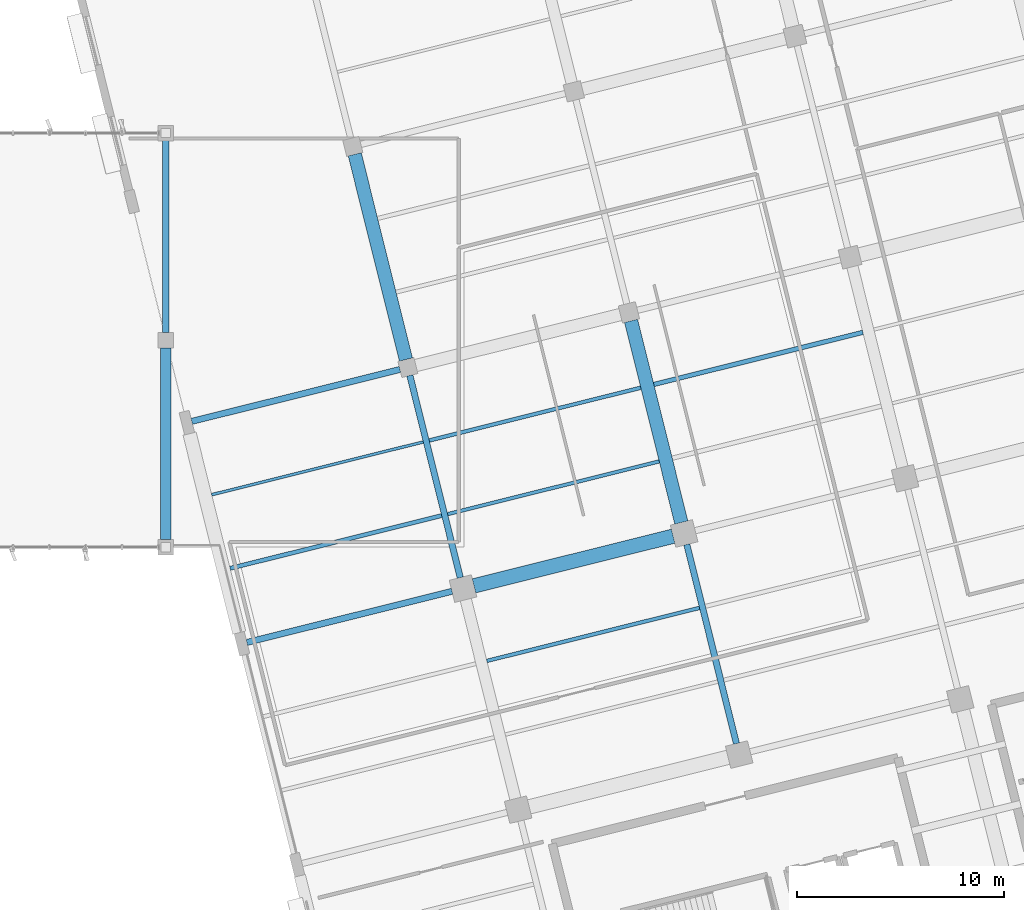
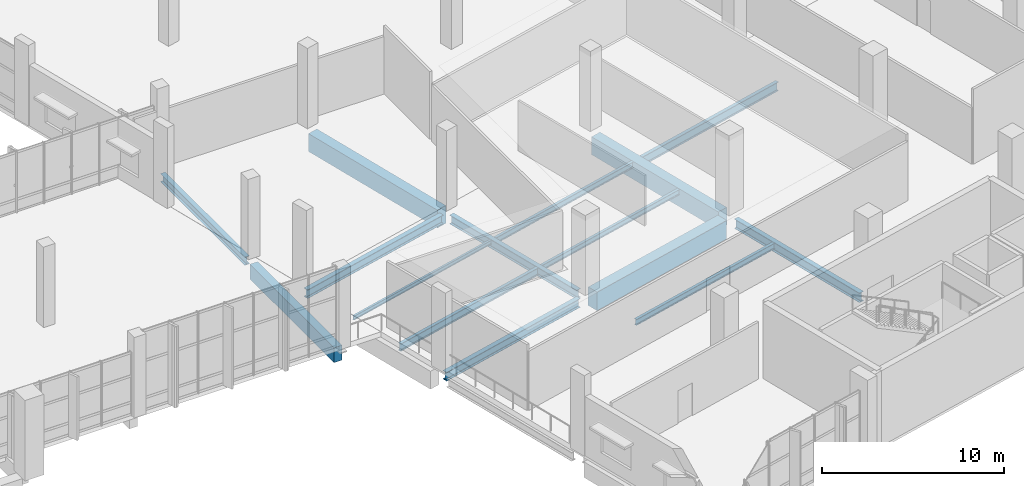
# One storey, part 73 of 176: 15 beams.
"""IFC4 building model written with IfcOpenShell, lengths in metres."""

import ifcopenshell
import ifcopenshell.guid

model = None  # the IFC model being written
_history = None  # IfcOwnerHistory: only IFC2X3 demands one
_inside = {}  # id of a spatial element -> (the spatial element, [elements in it])
_under = {}  # id of a project, library or spatial element -> (it, [spatial elements below it])
_declared = {}  # id of a project -> (the project, [libraries it declares])
_typed = {}  # id of a type object -> (the type object, [elements of that type])
_made_of = {}  # id of a material, layer set ... -> (it, [elements and type objects made of it])


def new_model(schema):
    """Start an empty IFC model of exactly this schema.

    Asked for "IFC4X3", IfcOpenShell would pick the latest addendum, in which some entities
    have other attributes; the version numbers below select the first issue.
    IFC2X3 requires an IfcOwnerHistory on every rooted entity: one is made here for all.
    """
    global model, _history
    if schema == "IFC4X3":
        model = ifcopenshell.file(schema_version=(4, 3, 0, 0))
    else:
        model = ifcopenshell.file(schema=schema)
    _inside.clear()
    _under.clear()
    _declared.clear()
    _typed.clear()
    _made_of.clear()
    _history = None
    if model.schema == "IFC2X3":
        org = make("IfcOrganization", Name="unknown")
        user = make(
            "IfcPersonAndOrganization",
            ThePerson=make("IfcPerson", FamilyName="unknown"),
            TheOrganization=org,
        )
        app = make(
            "IfcApplication",
            ApplicationDeveloper=org,
            Version="unknown",
            ApplicationFullName="unknown",
            ApplicationIdentifier="unknown",
        )
        _history = make(
            "IfcOwnerHistory",
            OwningUser=user,
            OwningApplication=app,
            ChangeAction="ADDED",
            CreationDate=0,
        )
    return model


def make(cls, **values):
    """One entity of the class cls with the attributes given. An attribute that is None is left unset."""
    return model.create_entity(
        cls, **{name: value for name, value in values.items() if value is not None}
    )


def rooted(cls, **values):
    """An entity with a GlobalId (a new one), such as an element, a storey or a relation."""
    return make(cls, GlobalId=ifcopenshell.guid.new(), OwnerHistory=_history, **values)


def si_unit(unit_type, name, prefix=None):
    """IfcSIUnit, for example si_unit("LENGTHUNIT", "METRE", prefix="MILLI")."""
    return make("IfcSIUnit", UnitType=unit_type, Prefix=prefix, Name=name)


def assignment(units):
    """IfcUnitAssignment: the units of a project."""
    return None if units is None else make("IfcUnitAssignment", Units=units)


def point(xyz):
    """IfcCartesianPoint."""
    return None if xyz is None else make("IfcCartesianPoint", Coordinates=xyz)


def direction(xyz):
    """IfcDirection."""
    return None if xyz is None else make("IfcDirection", DirectionRatios=xyz)


def frame(location, z_axis=None, x_axis=None):
    """IfcAxis2Placement3D, a coordinate frame: its origin and axes. An axis left out is left unset."""
    return make(
        "IfcAxis2Placement3D",
        Location=point(location),
        Axis=direction(z_axis),
        RefDirection=direction(x_axis),
    )


def frame_2d(location, x_axis=None):
    """IfcAxis2Placement2D, a coordinate frame in the plane: its origin and x axis."""
    return make(
        "IfcAxis2Placement2D", Location=point(location), RefDirection=direction(x_axis)
    )


def origin():
    """The frame at (0, 0, 0) with its axes left unset."""
    return frame((0.0, 0.0, 0.0))


def origin_2d():
    """The frame at (0, 0) in the plane with its x axis left unset."""
    return frame_2d((0.0, 0.0))


def place(relative_to, where):
    """IfcLocalPlacement: puts the frame where relative to a parent placement (None: the world)."""
    return make(
        "IfcLocalPlacement", PlacementRelTo=relative_to, RelativePlacement=where
    )


def context(
    kind, dimensions, precision=None, world=None, true_north=None, identifier=None
):
    """IfcGeometricRepresentationContext, for example the 3D "Model" context."""
    return make(
        "IfcGeometricRepresentationContext",
        ContextIdentifier=identifier,
        ContextType=kind,
        CoordinateSpaceDimension=dimensions,
        Precision=precision,
        WorldCoordinateSystem=world,
        TrueNorth=true_north,
    )


def subcontext(parent, identifier, kind, view, scale=None):
    """IfcGeometricRepresentationSubContext, for example "Body" below "Model"."""
    return make(
        "IfcGeometricRepresentationSubContext",
        ContextIdentifier=identifier,
        ContextType=kind,
        ParentContext=parent,
        TargetScale=scale,
        TargetView=view,
    )


def project(units=None, contexts=None):
    """IfcProject with its units and contexts."""
    return rooted(
        "IfcProject",
        Name="project",
        RepresentationContexts=contexts,
        UnitsInContext=assignment(units),
    )


def spatial(cls, under=None, at=None, **own):
    """A site, building, storey or space (cls), placed at a placement, below another one or the project."""
    s = rooted(cls, ObjectPlacement=at, **own)
    if under is not None:
        _under.setdefault(under.id(), (under, []))[1].append(s)
    return s


def profile(cls, at=None, kind="AREA", **sizes):
    """A parametric profile (cls). Its sizes go by their IFC names, for example OverallWidth=200.0."""
    return make(cls, ProfileType=kind, Position=at, **sizes)


def rectangle(**sizes):
    """IfcRectangleProfileDef."""
    return profile("IfcRectangleProfileDef", **sizes)


def i_section(**sizes):
    """IfcIShapeProfileDef."""
    return profile("IfcIShapeProfileDef", **sizes)


def extrude(swept, where, along, depth):
    """IfcExtrudedAreaSolid: the profile swept, set in the frame where, extruded along a direction by depth."""
    return make(
        "IfcExtrudedAreaSolid",
        SweptArea=swept,
        Position=where,
        ExtrudedDirection=direction(along),
        Depth=depth,
    )


def shape(context_of_items, identifier, shape_type, items):
    """IfcShapeRepresentation: the items that make up one representation, for example the "Body"."""
    return make(
        "IfcShapeRepresentation",
        ContextOfItems=context_of_items,
        RepresentationIdentifier=identifier,
        RepresentationType=shape_type,
        Items=items,
    )


def material(Name=None, Category=None):
    """IfcMaterial."""
    return make("IfcMaterial", Name=Name, Category=Category)


def material_profile(
    of_material, cross_section, Name=None, Category=None, Priority=None
):
    """IfcMaterialProfile: a cross section and its material."""
    return make(
        "IfcMaterialProfile",
        Name=Name,
        Material=of_material,
        Profile=cross_section,
        Priority=Priority,
        Category=Category,
    )


def profile_set(profiles, Name=None, composite=None):
    """IfcMaterialProfileSet."""
    return make(
        "IfcMaterialProfileSet",
        Name=Name,
        MaterialProfiles=profiles,
        CompositeProfile=composite,
    )


def made_of(thing, what):
    """Note that an element or type object is made of a material, layer set ...; save() writes the relation."""
    if what is not None:
        _made_of.setdefault(what.id(), (what, []))[1].append(thing)
    return thing


def type_object(cls, material=None, **own):
    """A type object (cls), such as IfcWallType, which elements share."""
    return made_of(rooted(cls, **own), material)


def element(
    cls,
    number,
    at=None,
    inside=None,
    cuts=None,
    type_object=None,
    material=None,
    context=None,
    identifier="Body",
    shape_type=None,
    held_by="IfcProductDefinitionShape",
    body=None,
    shapes=None,
    **own,
):
    """One element of the class cls, such as IfcWall. Its Tag is "e" and its number.

    at: its placement. inside: the storey or other place that contains it. cuts: it is an
    opening in that element (IfcRelVoidsElement). A single representation is given by context,
    identifier, shape_type and body (its items); several are given by shapes. held_by: the class
    of the entity that holds the representations. save() writes the other relations.
    """
    e = rooted(cls, Tag="e%d" % number, ObjectPlacement=at, **own)
    if body is not None:
        shapes = [shape(context, identifier, shape_type, body)]
    if shapes is not None:
        e.Representation = make(held_by, Representations=shapes)
    if inside is not None:
        _inside.setdefault(inside.id(), (inside, []))[1].append(e)
    if cuts is not None:
        rooted(
            "IfcRelVoidsElement", RelatingBuildingElement=cuts, RelatedOpeningElement=e
        )
    if type_object is not None:
        _typed.setdefault(type_object.id(), (type_object, []))[1].append(e)
    return made_of(e, material)


def aggregate(whole, parts):
    """IfcRelAggregates: a whole, such as a stair, and the parts it consists of."""
    return rooted("IfcRelAggregates", RelatingObject=whole, RelatedObjects=parts)


def save(model, path):
    """Write the relations noted so far, then the file.

    IfcRelAggregates (storeys below a building ...), IfcRelContainedInSpatialStructure (elements
    in a storey), IfcRelDefinesByType, IfcRelAssociatesMaterial and IfcRelDeclares: one each for
    every whole, place, type object, material and project.
    """
    for whole, parts in _under.values():
        aggregate(whole, parts)
    for where, things in _inside.values():
        rooted(
            "IfcRelContainedInSpatialStructure",
            RelatedElements=things,
            RelatingStructure=where,
        )
    for kind, things in _typed.values():
        rooted("IfcRelDefinesByType", RelatedObjects=things, RelatingType=kind)
    for what, things in _made_of.values():
        rooted("IfcRelAssociatesMaterial", RelatedObjects=things, RelatingMaterial=what)
    for by, libraries in _declared.values():
        rooted("IfcRelDeclares", RelatingContext=by, RelatedDefinitions=libraries)
    model.write(path)


model = new_model("IFC4")

# Units and contexts
model_context = context("Model", 3, precision=1e-05, world=origin(), true_north=direction((0.0, 1.0)))
body_context = subcontext(model_context, "Body", "Model", "MODEL_VIEW")
ifc_project = project(units=[si_unit("LENGTHUNIT", "METRE"), si_unit("AREAUNIT", "SQUARE_METRE"), si_unit("VOLUMEUNIT", "CUBIC_METRE"), si_unit("PLANEANGLEUNIT", "RADIAN"), si_unit("MASSUNIT", "GRAM", prefix="KILO")], contexts=[model_context])

# Site, building, storey
site_placement = place(None, origin())
site = spatial("IfcSite", under=ifc_project, at=site_placement, CompositionType="ELEMENT")
building_placement = place(site_placement, origin())
building = spatial("IfcBuilding", under=site, at=building_placement, Name="Khorjan Park Terminus", CompositionType="ELEMENT")
storey_placement = place(building_placement, frame((0.0, 0.0, 6.0)))
storey = spatial("IfcBuildingStorey", under=building, at=storey_placement, Name="L01", CompositionType="ELEMENT", Elevation=6.0)

# Beams
ifc_material_1 = material(Name="Steel S355", Category="steel")
ifc_material_profile_1 = material_profile(ifc_material_1, i_section(OverallWidth=0.3, OverallDepth=0.59, WebThickness=0.013, FlangeThickness=0.025, FilletRadius=0.027, at=origin_2d()), Name="HEA 600")
ifc_profile_set_1 = profile_set([ifc_material_profile_1], Name="Steel S355")
beam_type_1 = type_object("IfcBeamType", Name="BM-HEA600", PredefinedType="BEAM", material=ifc_profile_set_1)
beam_1_placement = place(storey_placement, frame((160.9154, 23.4058, -0.655), z_axis=(0.970296707014, 0.241917962039, 0.0), x_axis=(-0.241917962039, 0.970296707014, 0.0)))
element("IfcBeam", 1, at=beam_1_placement, inside=storey, type_object=beam_type_1, Name="Primary skew-grid floor girder SB-A60 (L01)", PredefinedType="BEAM", context=body_context, shape_type="SweptSolid", body=[
    extrude(i_section(OverallWidth=0.3, OverallDepth=0.59, WebThickness=0.013, FlangeThickness=0.025, FilletRadius=0.027, at=origin_2d()), origin(), (0.0, 0.0, 1.0), 10.2101),
])
beam_2_placement = place(storey_placement, frame((158.2543, 34.079, -0.655), z_axis=(0.970296176779, 0.241920088722, 0.0), x_axis=(-0.241920088722, 0.970296176779, 0.0)))
element("IfcBeam", 2, at=beam_2_placement, inside=storey, type_object=beam_type_1, Name="Primary skew-grid floor girder SB-A60 (L01)", PredefinedType="BEAM", context=body_context, shape_type="SweptSolid", body=[
    extrude(i_section(OverallWidth=0.3, OverallDepth=0.59, WebThickness=0.013, FlangeThickness=0.025, FilletRadius=0.027, at=origin_2d()), origin(), (0.0, 0.0, 1.0), 10.36),
])
ifc_material_profile_2 = material_profile(ifc_material_1, i_section(OverallWidth=0.3, OverallDepth=0.64, WebThickness=0.0135, FlangeThickness=0.026, FilletRadius=0.027, at=origin_2d()), Name="HEA 650")
ifc_profile_set_2 = profile_set([ifc_material_profile_2], Name="Steel S355")
beam_type_2 = type_object("IfcBeamType", Name="BM-HEA650", PredefinedType="BEAM", material=ifc_profile_set_2)
beam_3_placement = place(storey_placement, frame((184.5535, 18.5243, -0.68), z_axis=(-0.241915884168, 0.970297225074, 0.0), x_axis=(-0.970297225074, -0.241915884168, 0.0)))
element("IfcBeam", 3, at=beam_3_placement, inside=storey, type_object=beam_type_2, Name="Primary skew-grid floor girder SB-A65 (L01)", PredefinedType="BEAM", context=body_context, shape_type="SweptSolid", body=[
    extrude(i_section(OverallWidth=0.3, OverallDepth=0.64, WebThickness=0.0135, FlangeThickness=0.026, FilletRadius=0.027, at=origin_2d()), origin(), (0.0, 0.0, 1.0), 9.9101),
])
ifc_material_profile_3 = material_profile(ifc_material_1, i_section(OverallWidth=0.3, OverallDepth=0.55, WebThickness=0.015, FlangeThickness=0.029, FilletRadius=0.027, at=origin_2d()), Name="HEB 550")
ifc_profile_set_3 = profile_set([ifc_material_profile_3], Name="Steel S355")
beam_type_3 = type_object("IfcBeamType", Name="BM-HEB550", PredefinedType="BEAM", material=ifc_profile_set_3)
beam_4_placement = place(storey_placement, frame((157.0, 38.37, -0.625), z_axis=(0.0, 1.0, 0.0), x_axis=(-1.0, 0.0, 0.0)))
element("IfcBeam", 4, at=beam_4_placement, inside=storey, type_object=beam_type_3, Name="Primary floor girder SB-B55 (L01)", PredefinedType="BEAM", context=body_context, shape_type="SweptSolid", body=[
    extrude(i_section(OverallWidth=0.3, OverallDepth=0.55, WebThickness=0.015, FlangeThickness=0.029, FilletRadius=0.027, at=origin_2d()), origin(), (0.0, 0.0, 1.0), 9.26),
])
ifc_material_profile_4 = material_profile(ifc_material_1, i_section(OverallWidth=0.3, OverallDepth=0.6, WebThickness=0.0155, FlangeThickness=0.03, FilletRadius=0.027, at=origin_2d()), Name="HEB 600")
ifc_profile_set_4 = profile_set([ifc_material_profile_4], Name="Steel S355")
beam_type_4 = type_object("IfcBeamType", Name="BM-HEB600", PredefinedType="BEAM", material=ifc_profile_set_4)
beam_5_placement = place(storey_placement, frame((171.2191, 26.5365, -0.66), z_axis=(-0.241920438591, 0.970296089548, 0.0), x_axis=(-0.970296089548, -0.241920438591, 0.0)))
element("IfcBeam", 5, at=beam_5_placement, inside=storey, type_object=beam_type_4, Name="Primary skew-grid floor girder SB-B60 (L01)", PredefinedType="BEAM", context=body_context, shape_type="SweptSolid", body=[
    extrude(i_section(OverallWidth=0.3, OverallDepth=0.6, WebThickness=0.0155, FlangeThickness=0.03, FilletRadius=0.027, at=origin_2d()), origin(), (0.0, 0.0, 1.0), 10.0599),
])
ifc_material_2 = material(Name="Concrete C40/50", Category="concrete")
ifc_material_profile_5 = material_profile(ifc_material_2, rectangle(XDim=0.5, YDim=1.0, at=origin_2d()), Name="RC 500x1000")
ifc_profile_set_5 = profile_set([ifc_material_profile_5], Name="Concrete C40/50")
beam_type_5 = type_object("IfcBeamType", Name="BM-RC500x1000", PredefinedType="BEAM", material=ifc_profile_set_5)
beam_6_placement = place(storey_placement, frame((157.0, 28.37, -0.83), z_axis=(0.0, 1.0, 0.0), x_axis=(-1.0, 0.0, 0.0)))
element("IfcBeam", 6, at=beam_6_placement, inside=storey, type_object=beam_type_5, Name="Primary floor girder GB-10B (L01)", PredefinedType="BEAM", context=body_context, shape_type="SweptSolid", body=[
    extrude(rectangle(XDim=0.5, YDim=1.0, at=origin_2d()), origin(), (0.0, 0.0, 1.0), 9.26),
])
ifc_material_profile_6 = material_profile(ifc_material_2, rectangle(XDim=0.65, YDim=1.2, at=origin_2d()), Name="RC 650x1200")
ifc_profile_set_6 = profile_set([ifc_material_profile_6], Name="Concrete C40/50")
beam_type_6 = type_object("IfcBeamType", Name="BM-RC650x1200", PredefinedType="BEAM", material=ifc_profile_set_6)
beam_7_placement = place(storey_placement, frame((168.5943, 37.0642, -0.95), z_axis=(-0.241929482178, 0.970293834698, 0.0), x_axis=(-0.970293834698, -0.241929482178, 0.0)))
element("IfcBeam", 7, at=beam_7_placement, inside=storey, type_object=beam_type_6, Name="Primary skew-grid floor girder GB-12 (L01)", PredefinedType="BEAM", context=body_context, shape_type="SweptSolid", body=[
    extrude(rectangle(XDim=0.65, YDim=1.2, at=origin_2d()), origin(), (0.0, 0.0, 1.0), 10.21),
])
beam_8_placement = place(storey_placement, frame((181.8924, 29.1976, -0.96), z_axis=(-0.24192360021, 0.970295301267, 0.0), x_axis=(-0.970295301267, -0.24192360021, 0.0)))
element("IfcBeam", 8, at=beam_8_placement, inside=storey, type_object=beam_type_6, Name="Primary skew-grid floor girder GB-12 (L01)", PredefinedType="BEAM", context=body_context, shape_type="SweptSolid", body=[
    extrude(rectangle(XDim=0.65, YDim=1.2, at=origin_2d()), origin(), (0.0, 0.0, 1.0), 10.035),
])
ifc_material_profile_7 = material_profile(ifc_material_2, rectangle(XDim=0.7, YDim=1.25, at=origin_2d()), Name="RC 700x1250")
ifc_profile_set_7 = profile_set([ifc_material_profile_7], Name="Concrete C40/50")
beam_type_7 = type_object("IfcBeamType", Name="BM-RC700x1250", PredefinedType="BEAM", material=ifc_profile_set_7)
beam_9_placement = place(storey_placement, frame((171.8798, 26.1395, -0.985), z_axis=(0.970296634521, 0.241918252798, 0.0), x_axis=(-0.241918252798, 0.970296634521, 0.0)))
element("IfcBeam", 9, at=beam_9_placement, inside=storey, type_object=beam_type_7, Name="Primary skew-grid floor girder GB-125 (L01)", PredefinedType="BEAM", context=body_context, shape_type="SweptSolid", body=[
    extrude(rectangle(XDim=0.7, YDim=1.25, at=origin_2d()), origin(), (0.0, 0.0, 1.0), 9.91),
])
ifc_material_profile_8 = material_profile(ifc_material_1, i_section(OverallWidth=0.135, OverallDepth=0.27, WebThickness=0.0066, FlangeThickness=0.0102, FilletRadius=0.015, at=origin_2d()), Name="IPE 270")
ifc_profile_set_8 = profile_set([ifc_material_profile_8], Name="Steel S355")
beam_type_8 = type_object("IfcBeamType", Name="JS-IPE270", PredefinedType="JOIST", material=ifc_profile_set_8)
beam_10_placement = place(storey_placement, frame((159.219, 30.5406, -0.495), z_axis=(0.970296002015, 0.241920789668, 0.0), x_axis=(-0.241920789668, 0.970296002015, 0.0)))
element("IfcBeam", 10, at=beam_10_placement, inside=storey, type_object=beam_type_8, Name="Secondary composite floor joist SJ-27 (L01)", PredefinedType="JOIST", context=body_context, shape_type="SweptSolid", body=[
    extrude(i_section(OverallWidth=0.135, OverallDepth=0.27, WebThickness=0.0066, FlangeThickness=0.0102, FilletRadius=0.015, at=origin_2d()), origin(), (0.0, 0.0, 1.0), 10.5249),
])
ifc_material_profile_9 = material_profile(ifc_material_1, i_section(OverallWidth=0.17, OverallDepth=0.36, WebThickness=0.008, FlangeThickness=0.0127, FilletRadius=0.018, at=origin_2d()), Name="IPE 360")
ifc_profile_set_9 = profile_set([ifc_material_profile_9], Name="Steel S355")
beam_type_9 = type_object("IfcBeamType", Name="JS-IPE360", PredefinedType="JOIST", material=ifc_profile_set_9)
beam_11_placement = place(storey_placement, frame((170.6095, 29.6017, -0.54), z_axis=(0.970296002015, 0.241920789668, 0.0), x_axis=(-0.241920789668, 0.970296002015, 0.0)))
element("IfcBeam", 11, at=beam_11_placement, inside=storey, type_object=beam_type_9, Name="Secondary composite floor joist SJ-36 (L01)", PredefinedType="JOIST", context=body_context, shape_type="SweptSolid", body=[
    extrude(i_section(OverallWidth=0.17, OverallDepth=0.36, WebThickness=0.008, FlangeThickness=0.0127, FilletRadius=0.018, at=origin_2d()), origin(), (0.0, 0.0, 1.0), 10.5249),
])
ifc_material_profile_10 = material_profile(ifc_material_1, i_section(OverallWidth=0.18, OverallDepth=0.4, WebThickness=0.0086, FlangeThickness=0.0135, FilletRadius=0.021, at=origin_2d()), Name="IPE 400")
ifc_profile_set_10 = profile_set([ifc_material_profile_10], Name="Steel S355")
beam_type_10 = type_object("IfcBeamType", Name="JS-IPE400", PredefinedType="JOIST", material=ifc_profile_set_10)
beam_12_placement = place(storey_placement, frame((172.5049, 22.5164, -0.56), z_axis=(0.970295832192, 0.241921470792, 0.0), x_axis=(-0.241921470792, 0.970295832192, 0.0)))
element("IfcBeam", 12, at=beam_12_placement, inside=storey, type_object=beam_type_10, Name="Secondary composite floor joist SJ-40 (L01)", PredefinedType="JOIST", context=body_context, shape_type="SweptSolid", body=[
    extrude(i_section(OverallWidth=0.18, OverallDepth=0.4, WebThickness=0.0086, FlangeThickness=0.0135, FilletRadius=0.021, at=origin_2d()), origin(), (0.0, 0.0, 1.0), 10.5749),
])
beam_13_placement = place(storey_placement, frame((169.7224, 33.1594, -0.56), z_axis=(0.970296558074, 0.241918559415, 0.0), x_axis=(-0.241918559415, 0.970296558074, 0.0)))
element("IfcBeam", 13, at=beam_13_placement, inside=storey, type_object=beam_type_10, Name="Secondary composite floor joist SJ-40 (L01)", PredefinedType="JOIST", context=body_context, shape_type="SweptSolid", body=[
    extrude(i_section(OverallWidth=0.18, OverallDepth=0.4, WebThickness=0.0086, FlangeThickness=0.0135, FilletRadius=0.021, at=origin_2d()), origin(), (0.0, 0.0, 1.0), 10.525),
])
ifc_material_profile_11 = material_profile(ifc_material_1, i_section(OverallWidth=0.2, OverallDepth=0.5, WebThickness=0.0102, FlangeThickness=0.016, FilletRadius=0.021, at=origin_2d()), Name="IPE 500")
ifc_profile_set_11 = profile_set([ifc_material_profile_11], Name="Steel S355")
beam_type_11 = type_object("IfcBeamType", Name="JS-IPE500", PredefinedType="JOIST", material=ifc_profile_set_11)
beam_14_placement = place(storey_placement, frame((160.106, 26.9829, -0.61), z_axis=(0.970296558074, 0.241918559415, 0.0), x_axis=(-0.241918559415, 0.970296558074, 0.0)))
element("IfcBeam", 14, at=beam_14_placement, inside=storey, type_object=beam_type_11, Name="Secondary composite floor joist SJ-50 (L01)", PredefinedType="JOIST", context=body_context, shape_type="SweptSolid", body=[
    extrude(i_section(OverallWidth=0.2, OverallDepth=0.5, WebThickness=0.0102, FlangeThickness=0.016, FilletRadius=0.021, at=origin_2d()), origin(), (0.0, 0.0, 1.0), 10.525),
])
ifc_material_profile_12 = material_profile(ifc_material_1, i_section(OverallWidth=0.22, OverallDepth=0.6, WebThickness=0.012, FlangeThickness=0.019, FilletRadius=0.024, at=origin_2d()), Name="IPE 600")
ifc_profile_set_12 = profile_set([ifc_material_profile_12], Name="Steel S355")
beam_type_12 = type_object("IfcBeamType", Name="JS-IPE600", PredefinedType="JOIST", material=ifc_profile_set_12)
beam_15_placement = place(storey_placement, frame((180.5655, 35.8629, -0.66), z_axis=(0.970295586552, 0.241922456002, 0.0), x_axis=(-0.241922456002, 0.970295586552, 0.0)))
element("IfcBeam", 15, at=beam_15_placement, inside=storey, type_object=beam_type_12, Name="Secondary composite floor joist SJ-60 (L01)", PredefinedType="JOIST", context=body_context, shape_type="SweptSolid", body=[
    extrude(i_section(OverallWidth=0.22, OverallDepth=0.6, WebThickness=0.012, FlangeThickness=0.019, FilletRadius=0.024, at=origin_2d()), origin(), (0.0, 0.0, 1.0), 10.4),
])

save(model, "model.ifc")
